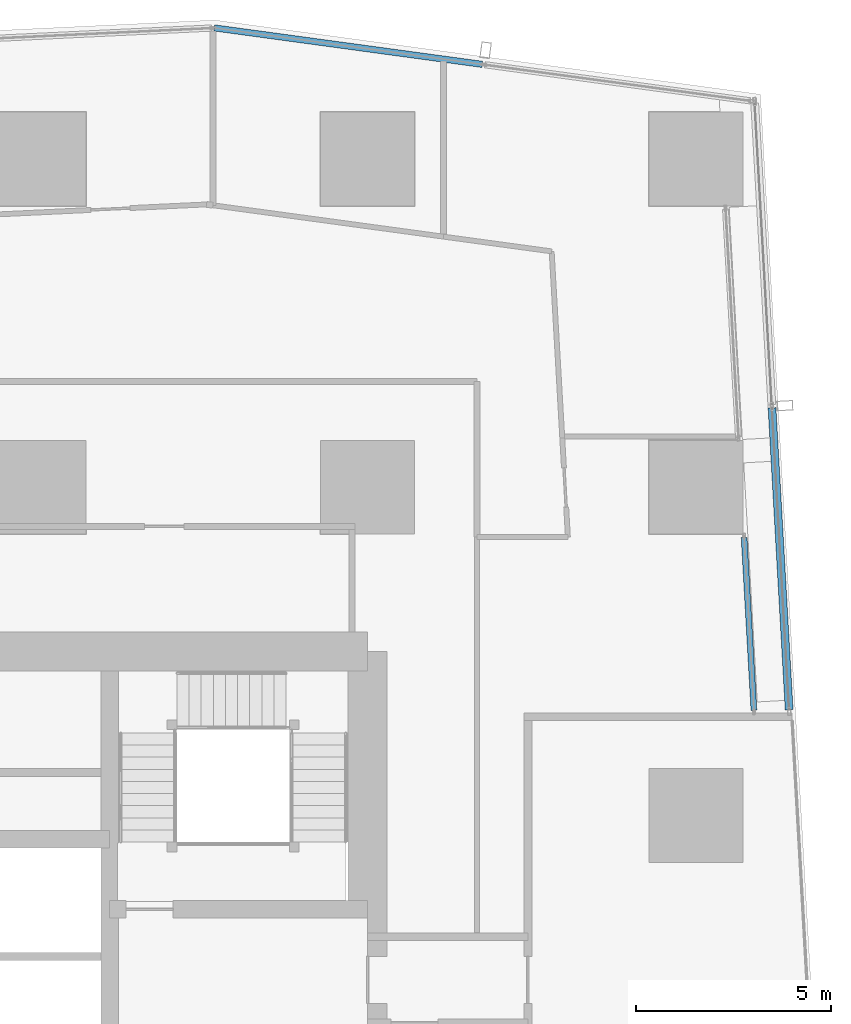
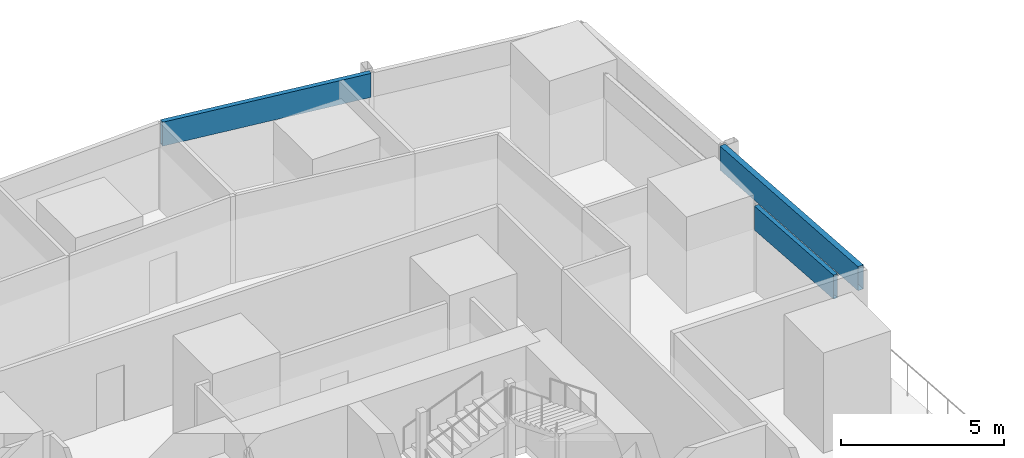
# One storey, part 18 of 34: 3 members, 3 elements without a shape of their own.
"""IFC4 building model written with IfcOpenShell, lengths in metres."""

from ifc_helpers import new_model, si_unit, direction, frame, origin, origin_2d, place, context, subcontext, project, spatial, hollow_rectangle, extrude, material, material_profile, profile_set, type_object, element, aggregate, save


model = new_model("IFC4")

# Units and contexts
model_context = context("Model", 3, precision=1e-05, world=origin(), true_north=direction((0.0, 1.0)))
body_context = subcontext(model_context, "Body", "Model", "MODEL_VIEW")
ifc_project = project(units=[si_unit("LENGTHUNIT", "METRE"), si_unit("AREAUNIT", "SQUARE_METRE"), si_unit("VOLUMEUNIT", "CUBIC_METRE"), si_unit("PLANEANGLEUNIT", "RADIAN"), si_unit("MASSUNIT", "GRAM", prefix="KILO")], contexts=[model_context])

# Site, building, storey
site_placement = place(None, origin())
site = spatial("IfcSite", under=ifc_project, at=site_placement, CompositionType="ELEMENT")
building_placement = place(site_placement, origin())
building = spatial("IfcBuilding", under=site, at=building_placement, Name="Rekha Terrace Tower", CompositionType="ELEMENT")
storey_placement = place(building_placement, frame((0.0, 0.0, 236.449951171875)))
storey = spatial("IfcBuildingStorey", under=building, at=storey_placement, Name="L60", CompositionType="ELEMENT", Elevation=236.449951171875)

# Curtain wall, member
ifc_material_1 = material(Name="Aluminium framing", Category="aluminium")
curtain_wall_type_1 = type_object("IfcCurtainWallType", Name="CW1 double skin inner glazing", PredefinedType="USERDEFINED", material=ifc_material_1)
curtain_wall_1_placement = place(storey_placement, origin())
curtain_wall_1 = element("IfcCurtainWall", 1, at=curtain_wall_1_placement, inside=storey, type_object=curtain_wall_type_1, Name="CW1 double skin inner glazing", ObjectType="DOUBLE SKIN INNER GLAZING", PredefinedType="USERDEFINED")
ifc_material_2 = material(Name="Insulated aluminium spandrel box", Category="aluminium")
ifc_material_profile_1 = material_profile(ifc_material_2, hollow_rectangle(XDim=0.14990234375, YDim=0.89990234375, WallThickness=0.0029296875, at=origin_2d()), Name="AL SPANDREL BOX 150x900")
ifc_profile_set_1 = profile_set([ifc_material_profile_1], Name="Insulated aluminium spandrel box")
member_type_1 = type_object("IfcMemberType", Name="CW1 spandrel transom 150 x 900", PredefinedType="USERDEFINED", material=ifc_profile_set_1)
member_1_placement = place(storey_placement, frame((60.28271484375, 44.69287109375, 2.949951171875), z_axis=(-0.056641810801, 0.998394563922, 0.0), x_axis=(-0.998394563922, -0.056641810801, 0.0)))
member_1 = element("IfcMember", 2, at=member_1_placement, type_object=member_type_1, Name="CW1 spandrel transom 1", ObjectType="TRANSOM", PredefinedType="USERDEFINED", context=body_context, shape_type="SweptSolid", body=[
    extrude(hollow_rectangle(XDim=0.14990234375, YDim=0.89990234375, WallThickness=0.0029296875, at=origin_2d()), origin(), (0.0, 0.0, 1.0), 4.430908203125),
])
aggregate(curtain_wall_1, [member_1])

curtain_wall_type_2 = type_object("IfcCurtainWallType", Name="CW2 double skin outer glazing", PredefinedType="USERDEFINED", material=ifc_material_1)
curtain_wall_2_placement = place(storey_placement, origin())
curtain_wall_2 = element("IfcCurtainWall", 3, at=curtain_wall_2_placement, inside=storey, type_object=curtain_wall_type_2, Name="CW2 double skin outer glazing", ObjectType="DOUBLE SKIN OUTER GLAZING", PredefinedType="USERDEFINED")
ifc_material_profile_2 = material_profile(ifc_material_2, hollow_rectangle(XDim=0.199951171875, YDim=0.89990234375, WallThickness=0.0029296875, at=origin_2d()), Name="AL SPANDREL BOX 200x900")
ifc_profile_set_2 = profile_set([ifc_material_profile_2], Name="Insulated aluminium spandrel box")
member_type_2 = type_object("IfcMemberType", Name="CW2 spandrel transom 200 x 900", PredefinedType="USERDEFINED", material=ifc_profile_set_2)
member_2_placement = place(storey_placement, frame((61.183349609375, 44.707763671875, 2.949951171875), z_axis=(-0.056667687162, 0.998393095545, 0.0), x_axis=(-0.998393095545, -0.056667687162, 0.0)))
member_2 = element("IfcMember", 4, at=member_2_placement, type_object=member_type_2, Name="CW2 spandrel transom 1", ObjectType="TRANSOM", PredefinedType="USERDEFINED", context=body_context, shape_type="SweptSolid", body=[
    extrude(hollow_rectangle(XDim=0.199951171875, YDim=0.89990234375, WallThickness=0.0029296875, at=origin_2d()), origin(), (0.0, 0.0, 1.0), 7.7333984375),
])
aggregate(curtain_wall_2, [member_2])

curtain_wall_type_3 = type_object("IfcCurtainWallType", Name="CW3 north unitised glazing", PredefinedType="USERDEFINED", material=ifc_material_1)
curtain_wall_3_placement = place(storey_placement, origin())
curtain_wall_3 = element("IfcCurtainWall", 5, at=curtain_wall_3_placement, inside=storey, type_object=curtain_wall_type_3, Name="CW3 unitised curtain wall", ObjectType="UNITISED CURTAIN WALL", PredefinedType="USERDEFINED")
ifc_material_profile_3 = material_profile(ifc_material_2, hollow_rectangle(XDim=0.159912109375, YDim=0.89990234375, WallThickness=0.0029296875, at=origin_2d()), Name="AL SPANDREL BOX 160x900")
ifc_profile_set_3 = profile_set([ifc_material_profile_3], Name="Insulated aluminium spandrel box")
member_type_3 = type_object("IfcMemberType", Name="CW3 spandrel transom 160 x 900", PredefinedType="USERDEFINED", material=ifc_profile_set_3)
member_3_placement = place(storey_placement, frame((53.334716796875, 61.21630859375, 2.949951171875), z_axis=(-0.990863635349, 0.134867550367, 0.0), x_axis=(-0.134867550367, -0.990863635349, 0.0)))
member_3 = element("IfcMember", 6, at=member_3_placement, type_object=member_type_3, Name="CW3 spandrel transom 2", ObjectType="TRANSOM", PredefinedType="USERDEFINED", context=body_context, shape_type="SweptSolid", body=[
    extrude(hollow_rectangle(XDim=0.159912109375, YDim=0.89990234375, WallThickness=0.0029296875, at=origin_2d()), origin(), (0.0, 0.0, 1.0), 6.918701171875),
])
aggregate(curtain_wall_3, [member_3])

save(model, "model.ifc")
